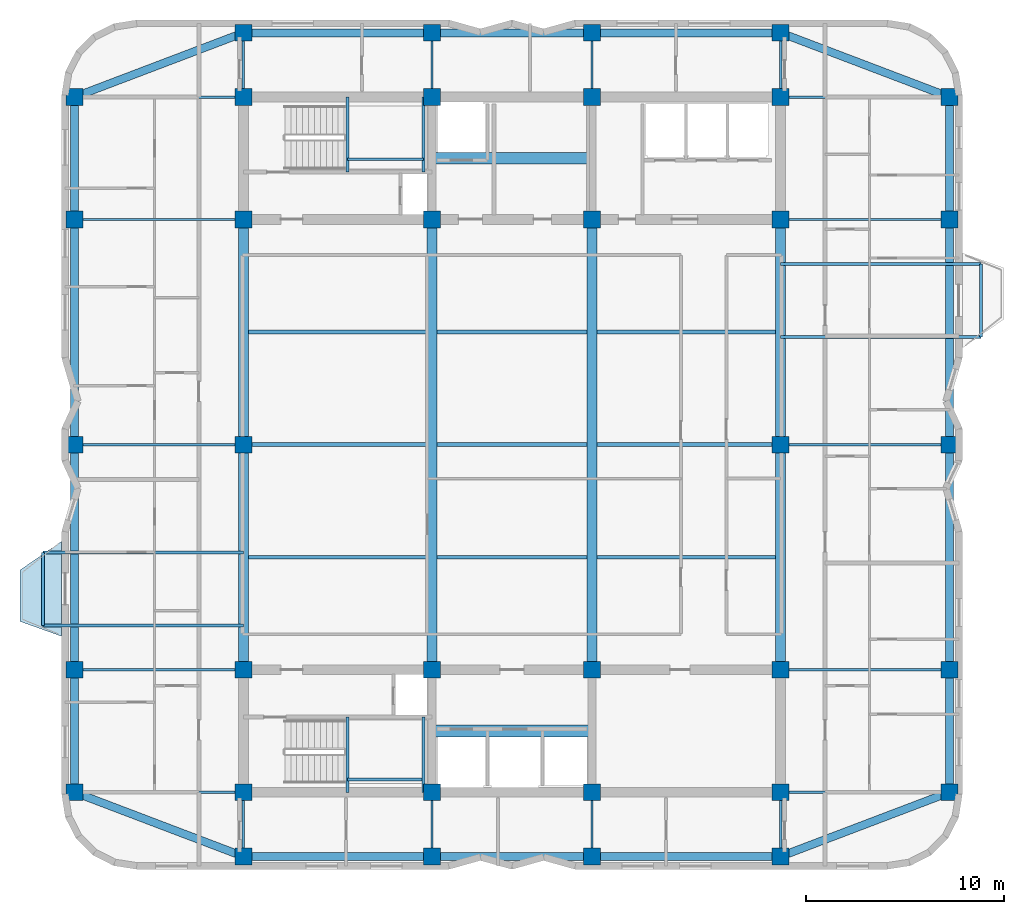
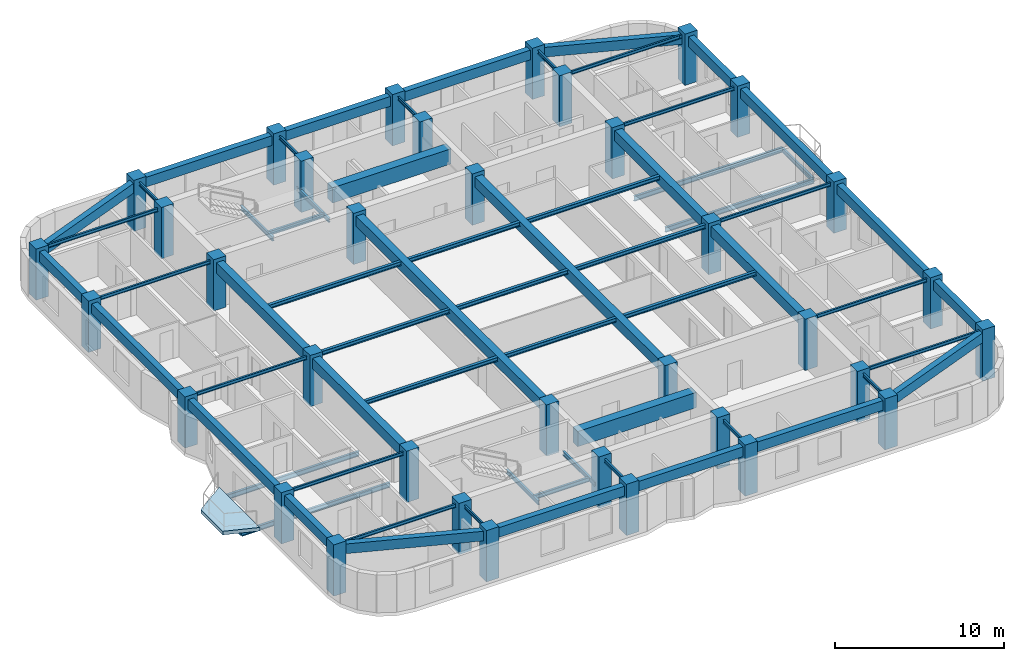
# One storey, part 1 of 9: 65 beams, 36 columns, 1 slab.
"""IFC4 building model written with IfcOpenShell, lengths in metres."""

from ifc_helpers import new_model, si_unit, direction, frame, origin, origin_2d, place, context, subcontext, project, spatial, polyline, rectangle, i_section, outline, extrude, material, layer, layer_set, material_profile, profile_set, type_object, element, save


model = new_model("IFC4")

# Units and contexts
model_context = context("Model", 3, precision=1e-05, world=origin(), true_north=direction((0.0, 1.0)))
body_context = subcontext(model_context, "Body", "Model", "MODEL_VIEW")
ifc_project = project(units=[si_unit("LENGTHUNIT", "METRE"), si_unit("AREAUNIT", "SQUARE_METRE"), si_unit("VOLUMEUNIT", "CUBIC_METRE"), si_unit("PLANEANGLEUNIT", "RADIAN"), si_unit("MASSUNIT", "GRAM", prefix="KILO")], contexts=[model_context])

# Site, building, storey
site_placement = place(None, origin())
site = spatial("IfcSite", under=ifc_project, at=site_placement, CompositionType="ELEMENT")
building_placement = place(site_placement, origin())
building = spatial("IfcBuilding", under=site, at=building_placement, Name="Svetorya Sky Lyceum", CompositionType="ELEMENT")
storey_placement = place(building_placement, frame((0.0, 0.0, 207.300048828125)))
storey = spatial("IfcBuildingStorey", under=building, at=storey_placement, Name="L51", CompositionType="ELEMENT", Elevation=207.300048828125)

# Columns
ifc_material_1 = material(Name="Concrete C50/60", Category="concrete")
ifc_material_profile_1 = material_profile(ifc_material_1, rectangle(XDim=0.85009765625, YDim=0.85009765625, at=origin_2d()), Name="RC COL 850x850")
ifc_profile_set_1 = profile_set([ifc_material_profile_1], Name="Concrete C50/60")
column_type = type_object("IfcColumnType", Name="COL-RC-850", PredefinedType="COLUMN", material=ifc_profile_set_1)
for number, where, z_axis, x_axis, name in (
    (1, (25.60009765625, 10.60009765625, 0.0), (0.0, 0.0, 1.0), (1.0, 0.0, 0.0), "L51 Core Column CS-11"),
    (2, (25.60009765625, 16.800048828125, 0.0), (0.0, 0.0, 1.0), (1.0, 0.0, 0.0), "L51 Core Column CS-12"),
    (3, (35.14990234375, 10.60009765625, 0.0), (0.0, 0.0, 1.0), (1.0, 0.0, 0.0), "L51 Core Column CS-21"),
    (4, (35.14990234375, 16.800048828125, 0.0), (0.0, 0.0, 1.0), (1.0, 0.0, 0.0), "L51 Core Column CS-22"),
    (5, (43.25, 10.60009765625, 0.0), (0.0, 0.0, 1.0), (1.0, 0.0, 0.0), "L51 Core Column CS-31"),
    (6, (43.25, 16.800048828125, 0.0), (0.0, 0.0, 1.0), (1.0, 0.0, 0.0), "L51 Core Column CS-32"),
    (7, (52.800048828125, 10.60009765625, 0.0), (0.0, 0.0, 1.0), (1.0, 0.0, 0.0), "L51 Core Column CS-41"),
    (8, (52.800048828125, 16.800048828125, 0.0), (0.0, 0.0, 1.0), (1.0, 0.0, 0.0), "L51 Core Column CS-42"),
    (9, (25.60009765625, 39.60009765625, 0.0), (0.0, 0.0, 1.0), (1.0, 0.0, 0.0), "L51 Core Column CN-11"),
    (10, (25.60009765625, 45.800048828125, 0.0), (0.0, 0.0, 1.0), (1.0, 0.0, 0.0), "L51 Core Column CN-12"),
    (11, (35.14990234375, 39.60009765625, 0.0), (0.0, 0.0, 1.0), (1.0, 0.0, 0.0), "L51 Core Column CN-21"),
    (12, (35.14990234375, 45.800048828125, 0.0), (0.0, 0.0, 1.0), (1.0, 0.0, 0.0), "L51 Core Column CN-22"),
    (13, (43.25, 39.60009765625, 0.0), (0.0, 0.0, 1.0), (1.0, 0.0, 0.0), "L51 Core Column CN-31"),
    (14, (43.25, 45.800048828125, 0.0), (0.0, 0.0, 1.0), (1.0, 0.0, 0.0), "L51 Core Column CN-32"),
    (15, (52.800048828125, 39.60009765625, 0.0), (0.0, 0.0, 1.0), (1.0, 0.0, 0.0), "L51 Core Column CN-41"),
    (16, (52.800048828125, 45.800048828125, 0.0), (0.0, 0.0, 1.0), (1.0, 0.0, 0.0), "L51 Core Column CN-42"),
    (17, (25.60009765625, 28.199951171875, 0.0), (0.0, 0.0, 1.0), (1.0, 0.0, 0.0), "L51 Core Column CM-W"),
    (18, (52.800048828125, 28.199951171875, 0.0), (0.0, 0.0, 1.0), (1.0, 0.0, 0.0), "L51 Core Column CM-E"),
    (19, (25.60009765625, 7.35009765625, 0.0), (0.0, 0.0, 1.0), (1.0, 0.0, 0.0), "L51 Perimeter Column S1"),
    (20, (25.60009765625, 49.050048828125, 0.0), (0.0, 0.0, 1.0), (1.0, 0.0, 0.0), "L51 Perimeter Column N1"),
    (21, (35.14990234375, 7.35009765625, 0.0), (0.0, 0.0, 1.0), (1.0, 0.0, 0.0), "L51 Perimeter Column S2"),
    (22, (35.14990234375, 49.050048828125, 0.0), (0.0, 0.0, 1.0), (1.0, 0.0, 0.0), "L51 Perimeter Column N2"),
    (23, (43.25, 7.35009765625, 0.0), (0.0, 0.0, 1.0), (1.0, 0.0, 0.0), "L51 Perimeter Column S3"),
    (24, (43.25, 49.050048828125, 0.0), (0.0, 0.0, 1.0), (1.0, 0.0, 0.0), "L51 Perimeter Column N3"),
    (25, (52.800048828125, 7.35009765625, 0.0), (0.0, 0.0, 1.0), (1.0, 0.0, 0.0), "L51 Perimeter Column S4"),
    (26, (52.800048828125, 49.050048828125, 0.0), (0.0, 0.0, 1.0), (1.0, 0.0, 0.0), "L51 Perimeter Column N4"),
    (27, (17.050048828125, 10.60009765625, 0.0), (0.0, 0.0, 1.0), (1.0, 0.0, 0.0), "L51 Perimeter Column W1"),
    (28, (61.35009765625, 10.60009765625, 0.0), (0.0, 0.0, 1.0), (1.0, 0.0, 0.0), "L51 Perimeter Column E1"),
    (29, (17.050048828125, 16.800048828125, 0.0), (0.0, 0.0, 1.0), (1.0, 0.0, 0.0), "L51 Perimeter Column W2"),
    (30, (61.35009765625, 16.800048828125, 0.0), (0.0, 0.0, 1.0), (1.0, 0.0, 0.0), "L51 Perimeter Column E2"),
    (31, (17.050048828125, 28.199951171875, 0.0), (0.0, 0.0, 1.0), (1.0, 0.0, 0.0), "L51 Perimeter Column W3"),
    (32, (61.35009765625, 28.199951171875, 0.0), (0.0, 0.0, 1.0), (1.0, 0.0, 0.0), "L51 Perimeter Column E3"),
    (33, (17.050048828125, 39.60009765625, 0.0), (0.0, 0.0, 1.0), (1.0, 0.0, 0.0), "L51 Perimeter Column W4"),
    (34, (61.35009765625, 39.60009765625, 0.0), (0.0, 0.0, 1.0), (1.0, 0.0, 0.0), "L51 Perimeter Column E4"),
    (35, (17.050048828125, 45.800048828125, 0.0), (0.0, 0.0, 1.0), (1.0, 0.0, 0.0), "L51 Perimeter Column W5"),
    (36, (61.35009765625, 45.800048828125, 0.0), (0.0, 0.0, 1.0), (1.0, 0.0, 0.0), "L51 Perimeter Column E5"),
):
    element("IfcColumn", number, at=place(storey_placement, frame(where, z_axis=z_axis, x_axis=x_axis)), inside=storey, type_object=column_type, Name=name, PredefinedType="COLUMN", context=body_context, shape_type="SweptSolid", body=[
        extrude(rectangle(XDim=0.85009765625, YDim=0.85009765625, at=origin_2d()), origin(), (0.0, 0.0, 1.0), 3.699951171875),
    ])

# Beams
ifc_material_2 = material(Name="Concrete C60/75", Category="concrete")
ifc_material_profile_2 = material_profile(ifc_material_2, rectangle(XDim=0.60009765625, YDim=1.10009765625, at=origin_2d()), Name="RC COUPLING 600x1100")
ifc_profile_set_2 = profile_set([ifc_material_profile_2], Name="Concrete C60/75")
beam_type_1 = type_object("IfcBeamType", Name="BM-CPL-1100", PredefinedType="LINTEL", material=ifc_profile_set_2)
for number, where, z_axis, x_axis, name in (
    (37, (35.14990234375, 13.699951171875, 2.889892578125), (1.0, 0.0, 0.0), (0.0, 1.0, 0.0), "L51 SC Core Coupling Beam"),
    (38, (35.14990234375, 42.699951171875, 2.889892578125), (1.0, 0.0, 0.0), (0.0, 1.0, 0.0), "L51 NC Core Coupling Beam"),
):
    element("IfcBeam", number, at=place(storey_placement, frame(where, z_axis=z_axis, x_axis=x_axis)), inside=storey, type_object=beam_type_1, Name=name, PredefinedType="LINTEL", context=body_context, shape_type="SweptSolid", body=[
        extrude(rectangle(XDim=0.60009765625, YDim=1.10009765625, at=origin_2d()), origin(), (0.0, 0.0, 1.0), 8.10009765625),
    ])
ifc_material_profile_3 = material_profile(ifc_material_1, rectangle(XDim=0.5, YDim=0.75, at=origin_2d()), Name="RC BEAM 500x750")
ifc_profile_set_3 = profile_set([ifc_material_profile_3], Name="Concrete C50/60")
beam_type_2 = type_object("IfcBeamType", Name="BM-RC-750", PredefinedType="BEAM", material=ifc_profile_set_3)
beam_1_placement = place(storey_placement, frame((25.60009765625, 16.800048828125, 3.06494140625), z_axis=(0.0, 1.0, 0.0), x_axis=(-1.0, 0.0, 0.0)))
element("IfcBeam", 39, at=beam_1_placement, inside=storey, type_object=beam_type_2, Name="L51 Central Bay Primary Girder CG-1A", PredefinedType="BEAM", context=body_context, shape_type="SweptSolid", body=[
    extrude(rectangle(XDim=0.5, YDim=0.75, at=origin_2d()), origin(), (0.0, 0.0, 1.0), 11.39990234375),
])
beam_2_placement = place(storey_placement, frame((25.60009765625, 28.199951171875, 3.06494140625), z_axis=(0.0, 1.0, 0.0), x_axis=(-1.0, 0.0, 0.0)))
element("IfcBeam", 40, at=beam_2_placement, inside=storey, type_object=beam_type_2, Name="L51 Central Bay Primary Girder CG-1B", PredefinedType="BEAM", context=body_context, shape_type="SweptSolid", body=[
    extrude(rectangle(XDim=0.5, YDim=0.75, at=origin_2d()), origin(), (0.0, 0.0, 1.0), 11.400146484375),
])
for number, where, z_axis, x_axis, name in (
    (41, (35.14990234375, 16.800048828125, 3.06494140625), (0.0, 1.0, 0.0), (-1.0, 0.0, 0.0), "L51 Central Bay Primary Girder CG-2"),
    (42, (43.25, 16.800048828125, 3.06494140625), (0.0, 1.0, 0.0), (-1.0, 0.0, 0.0), "L51 Central Bay Primary Girder CG-3"),
):
    element("IfcBeam", number, at=place(storey_placement, frame(where, z_axis=z_axis, x_axis=x_axis)), inside=storey, type_object=beam_type_2, Name=name, PredefinedType="BEAM", context=body_context, shape_type="SweptSolid", body=[
        extrude(rectangle(XDim=0.5, YDim=0.75, at=origin_2d()), origin(), (0.0, 0.0, 1.0), 22.800048828125),
    ])
beam_3_placement = place(storey_placement, frame((52.800048828125, 16.800048828125, 3.06494140625), z_axis=(0.0, 1.0, 0.0), x_axis=(-1.0, 0.0, 0.0)))
element("IfcBeam", 43, at=beam_3_placement, inside=storey, type_object=beam_type_2, Name="L51 Central Bay Primary Girder CG-4A", PredefinedType="BEAM", context=body_context, shape_type="SweptSolid", body=[
    extrude(rectangle(XDim=0.5, YDim=0.75, at=origin_2d()), origin(), (0.0, 0.0, 1.0), 11.39990234375),
])
beam_4_placement = place(storey_placement, frame((52.800048828125, 28.199951171875, 3.06494140625), z_axis=(0.0, 1.0, 0.0), x_axis=(-1.0, 0.0, 0.0)))
element("IfcBeam", 44, at=beam_4_placement, inside=storey, type_object=beam_type_2, Name="L51 Central Bay Primary Girder CG-4B", PredefinedType="BEAM", context=body_context, shape_type="SweptSolid", body=[
    extrude(rectangle(XDim=0.5, YDim=0.75, at=origin_2d()), origin(), (0.0, 0.0, 1.0), 11.400146484375),
])
ifc_material_profile_4 = material_profile(ifc_material_1, rectangle(XDim=0.39990234375, YDim=0.699951171875, at=origin_2d()), Name="RC SPANDREL 400x700")
ifc_profile_set_4 = profile_set([ifc_material_profile_4], Name="Concrete C50/60")
beam_type_3 = type_object("IfcBeamType", Name="BM-SPN-700", PredefinedType="SPANDREL", material=ifc_profile_set_4)
beam_5_placement = place(storey_placement, frame((25.60009765625, 7.35009765625, 3.08984375), z_axis=(1.0, 0.0, 0.0), x_axis=(0.0, 1.0, 0.0)))
element("IfcBeam", 45, at=beam_5_placement, inside=storey, type_object=beam_type_3, Name="L51 South Spandrel 1", PredefinedType="SPANDREL", context=body_context, shape_type="SweptSolid", body=[
    extrude(rectangle(XDim=0.39990234375, YDim=0.699951171875, at=origin_2d()), origin(), (0.0, 0.0, 1.0), 9.5498046875),
])
beam_6_placement = place(storey_placement, frame((35.14990234375, 7.35009765625, 3.08984375), z_axis=(1.0, 0.0, 0.0), x_axis=(0.0, 1.0, 0.0)))
element("IfcBeam", 46, at=beam_6_placement, inside=storey, type_object=beam_type_3, Name="L51 South Spandrel 2", PredefinedType="SPANDREL", context=body_context, shape_type="SweptSolid", body=[
    extrude(rectangle(XDim=0.39990234375, YDim=0.699951171875, at=origin_2d()), origin(), (0.0, 0.0, 1.0), 8.10009765625),
])
beam_7_placement = place(storey_placement, frame((43.25, 7.35009765625, 3.08984375), z_axis=(1.0, 0.0, 0.0), x_axis=(0.0, 1.0, 0.0)))
element("IfcBeam", 47, at=beam_7_placement, inside=storey, type_object=beam_type_3, Name="L51 South Spandrel 3", PredefinedType="SPANDREL", context=body_context, shape_type="SweptSolid", body=[
    extrude(rectangle(XDim=0.39990234375, YDim=0.699951171875, at=origin_2d()), origin(), (0.0, 0.0, 1.0), 9.550048828125),
])
beam_8_placement = place(storey_placement, frame((25.60009765625, 49.050048828125, 3.08984375), z_axis=(1.0, 0.0, 0.0), x_axis=(0.0, 1.0, 0.0)))
element("IfcBeam", 48, at=beam_8_placement, inside=storey, type_object=beam_type_3, Name="L51 North Spandrel 1", PredefinedType="SPANDREL", context=body_context, shape_type="SweptSolid", body=[
    extrude(rectangle(XDim=0.39990234375, YDim=0.699951171875, at=origin_2d()), origin(), (0.0, 0.0, 1.0), 9.5498046875),
])
beam_9_placement = place(storey_placement, frame((35.14990234375, 49.050048828125, 3.08984375), z_axis=(1.0, 0.0, 0.0), x_axis=(0.0, 1.0, 0.0)))
element("IfcBeam", 49, at=beam_9_placement, inside=storey, type_object=beam_type_3, Name="L51 North Spandrel 2", PredefinedType="SPANDREL", context=body_context, shape_type="SweptSolid", body=[
    extrude(rectangle(XDim=0.39990234375, YDim=0.699951171875, at=origin_2d()), origin(), (0.0, 0.0, 1.0), 8.10009765625),
])
beam_10_placement = place(storey_placement, frame((43.25, 49.050048828125, 3.08984375), z_axis=(1.0, 0.0, 0.0), x_axis=(0.0, 1.0, 0.0)))
element("IfcBeam", 50, at=beam_10_placement, inside=storey, type_object=beam_type_3, Name="L51 North Spandrel 3", PredefinedType="SPANDREL", context=body_context, shape_type="SweptSolid", body=[
    extrude(rectangle(XDim=0.39990234375, YDim=0.699951171875, at=origin_2d()), origin(), (0.0, 0.0, 1.0), 9.550048828125),
])
for number, where, z_axis, x_axis, name in (
    (51, (25.60009765625, 7.35009765625, 3.08984375), (-0.934747947367, 0.355311518099, 0.0), (-0.355311518099, -0.934747947367, 0.0), "L51 Corner Spandrel 1"),
    (52, (52.800048828125, 7.35009765625, 3.08984375), (0.934747947367, 0.355311518099, 0.0), (-0.355311518099, 0.934747947367, 0.0), "L51 Corner Spandrel 2"),
    (53, (61.35009765625, 45.800048828125, 3.08984375), (-0.934747947367, 0.355311518099, 0.0), (-0.355311518099, -0.934747947367, 0.0), "L51 Corner Spandrel 3"),
    (54, (17.050048828125, 45.800048828125, 3.08984375), (0.934747947367, 0.355311518099, 0.0), (-0.355311518099, 0.934747947367, 0.0), "L51 Corner Spandrel 4"),
):
    element("IfcBeam", number, at=place(storey_placement, frame(where, z_axis=z_axis, x_axis=x_axis)), inside=storey, type_object=beam_type_3, Name=name, PredefinedType="SPANDREL", context=body_context, shape_type="SweptSolid", body=[
        extrude(rectangle(XDim=0.39990234375, YDim=0.699951171875, at=origin_2d()), origin(), (0.0, 0.0, 1.0), 9.14697265625),
    ])
beam_11_placement = place(storey_placement, frame((17.050048828125, 10.60009765625, 3.08984375), z_axis=(0.0, 1.0, 0.0), x_axis=(-1.0, 0.0, 0.0)))
element("IfcBeam", 55, at=beam_11_placement, inside=storey, type_object=beam_type_3, Name="L51 West Spandrel 1", PredefinedType="SPANDREL", context=body_context, shape_type="SweptSolid", body=[
    extrude(rectangle(XDim=0.39990234375, YDim=0.699951171875, at=origin_2d()), origin(), (0.0, 0.0, 1.0), 6.199951171875),
])
beam_12_placement = place(storey_placement, frame((17.050048828125, 16.800048828125, 3.08984375), z_axis=(0.0, 1.0, 0.0), x_axis=(-1.0, 0.0, 0.0)))
element("IfcBeam", 56, at=beam_12_placement, inside=storey, type_object=beam_type_3, Name="L51 West Spandrel 2", PredefinedType="SPANDREL", context=body_context, shape_type="SweptSolid", body=[
    extrude(rectangle(XDim=0.39990234375, YDim=0.699951171875, at=origin_2d()), origin(), (0.0, 0.0, 1.0), 11.39990234375),
])
beam_13_placement = place(storey_placement, frame((17.050048828125, 28.199951171875, 3.08984375), z_axis=(0.0, 1.0, 0.0), x_axis=(-1.0, 0.0, 0.0)))
element("IfcBeam", 57, at=beam_13_placement, inside=storey, type_object=beam_type_3, Name="L51 West Spandrel 3", PredefinedType="SPANDREL", context=body_context, shape_type="SweptSolid", body=[
    extrude(rectangle(XDim=0.39990234375, YDim=0.699951171875, at=origin_2d()), origin(), (0.0, 0.0, 1.0), 11.400146484375),
])
for number, where, z_axis, x_axis, name in (
    (58, (17.050048828125, 39.60009765625, 3.08984375), (0.0, 1.0, 0.0), (-1.0, 0.0, 0.0), "L51 West Spandrel 4"),
    (59, (61.35009765625, 10.60009765625, 3.08984375), (0.0, 1.0, 0.0), (-1.0, 0.0, 0.0), "L51 East Spandrel 1"),
):
    element("IfcBeam", number, at=place(storey_placement, frame(where, z_axis=z_axis, x_axis=x_axis)), inside=storey, type_object=beam_type_3, Name=name, PredefinedType="SPANDREL", context=body_context, shape_type="SweptSolid", body=[
        extrude(rectangle(XDim=0.39990234375, YDim=0.699951171875, at=origin_2d()), origin(), (0.0, 0.0, 1.0), 6.199951171875),
    ])
beam_14_placement = place(storey_placement, frame((61.35009765625, 16.800048828125, 3.08984375), z_axis=(0.0, 1.0, 0.0), x_axis=(-1.0, 0.0, 0.0)))
element("IfcBeam", 60, at=beam_14_placement, inside=storey, type_object=beam_type_3, Name="L51 East Spandrel 2", PredefinedType="SPANDREL", context=body_context, shape_type="SweptSolid", body=[
    extrude(rectangle(XDim=0.39990234375, YDim=0.699951171875, at=origin_2d()), origin(), (0.0, 0.0, 1.0), 11.39990234375),
])
beam_15_placement = place(storey_placement, frame((61.35009765625, 28.199951171875, 3.08984375), z_axis=(0.0, 1.0, 0.0), x_axis=(-1.0, 0.0, 0.0)))
element("IfcBeam", 61, at=beam_15_placement, inside=storey, type_object=beam_type_3, Name="L51 East Spandrel 3", PredefinedType="SPANDREL", context=body_context, shape_type="SweptSolid", body=[
    extrude(rectangle(XDim=0.39990234375, YDim=0.699951171875, at=origin_2d()), origin(), (0.0, 0.0, 1.0), 11.400146484375),
])
beam_16_placement = place(storey_placement, frame((61.35009765625, 39.60009765625, 3.08984375), z_axis=(0.0, 1.0, 0.0), x_axis=(-1.0, 0.0, 0.0)))
element("IfcBeam", 62, at=beam_16_placement, inside=storey, type_object=beam_type_3, Name="L51 East Spandrel 4", PredefinedType="SPANDREL", context=body_context, shape_type="SweptSolid", body=[
    extrude(rectangle(XDim=0.39990234375, YDim=0.699951171875, at=origin_2d()), origin(), (0.0, 0.0, 1.0), 6.199951171875),
])
ifc_material_3 = material(Name="Steel S355", Category="steel")
ifc_material_profile_5 = material_profile(ifc_material_3, i_section(OverallWidth=0.1240234375, OverallDepth=0.248046875, WebThickness=0.006103515625, FlangeThickness=0.009521484375, at=origin_2d()), Name="GOST 25B2")
ifc_profile_set_5 = profile_set([ifc_material_profile_5], Name="Steel S355")
beam_type_4 = type_object("IfcBeamType", Name="BM-STL-25B2", PredefinedType="JOIST", material=ifc_profile_set_5)
for number, where, z_axis, x_axis, name in (
    (63, (17.050048828125, 10.60009765625, 3.31591796875), (1.0, 0.0, 0.0), (0.0, 1.0, 0.0), "L51 West Wing Floor Joist W1"),
    (64, (52.800048828125, 10.60009765625, 3.31591796875), (1.0, 0.0, 0.0), (0.0, 1.0, 0.0), "L51 East Wing Floor Joist E1"),
    (65, (17.050048828125, 16.800048828125, 3.31591796875), (1.0, 0.0, 0.0), (0.0, 1.0, 0.0), "L51 West Wing Floor Joist W2"),
    (66, (52.800048828125, 16.800048828125, 3.31591796875), (1.0, 0.0, 0.0), (0.0, 1.0, 0.0), "L51 East Wing Floor Joist E2"),
    (67, (17.050048828125, 28.199951171875, 3.31591796875), (1.0, 0.0, 0.0), (0.0, 1.0, 0.0), "L51 West Wing Floor Joist W3"),
    (68, (52.800048828125, 28.199951171875, 3.31591796875), (1.0, 0.0, 0.0), (0.0, 1.0, 0.0), "L51 East Wing Floor Joist E3"),
    (69, (17.050048828125, 39.60009765625, 3.31591796875), (1.0, 0.0, 0.0), (0.0, 1.0, 0.0), "L51 West Wing Floor Joist W4"),
    (70, (52.800048828125, 39.60009765625, 3.31591796875), (1.0, 0.0, 0.0), (0.0, 1.0, 0.0), "L51 East Wing Floor Joist E4"),
    (71, (17.050048828125, 45.800048828125, 3.31591796875), (1.0, 0.0, 0.0), (0.0, 1.0, 0.0), "L51 West Wing Floor Joist W5"),
    (72, (52.800048828125, 45.800048828125, 3.31591796875), (1.0, 0.0, 0.0), (0.0, 1.0, 0.0), "L51 East Wing Floor Joist E5"),
):
    element("IfcBeam", number, at=place(storey_placement, frame(where, z_axis=z_axis, x_axis=x_axis)), inside=storey, type_object=beam_type_4, Name=name, PredefinedType="JOIST", context=body_context, shape_type="SweptSolid", body=[
        extrude(i_section(OverallWidth=0.1240234375, OverallDepth=0.248046875, WebThickness=0.006103515625, FlangeThickness=0.009521484375, at=origin_2d()), origin(), (0.0, 0.0, 1.0), 8.550048828125),
    ])
for number, where, z_axis, x_axis, name in (
    (73, (25.60009765625, 7.35009765625, 3.31591796875), (0.0, 1.0, 0.0), (-1.0, 0.0, 0.0), "L51 South Bay Floor Girder S1"),
    (74, (25.60009765625, 45.800048828125, 3.31591796875), (0.0, 1.0, 0.0), (-1.0, 0.0, 0.0), "L51 North Bay Floor Girder N1"),
    (75, (35.14990234375, 7.35009765625, 3.31591796875), (0.0, 1.0, 0.0), (-1.0, 0.0, 0.0), "L51 South Bay Floor Girder S2"),
    (76, (35.14990234375, 45.800048828125, 3.31591796875), (0.0, 1.0, 0.0), (-1.0, 0.0, 0.0), "L51 North Bay Floor Girder N2"),
    (77, (43.25, 7.35009765625, 3.31591796875), (0.0, 1.0, 0.0), (-1.0, 0.0, 0.0), "L51 South Bay Floor Girder S3"),
    (78, (43.25, 45.800048828125, 3.31591796875), (0.0, 1.0, 0.0), (-1.0, 0.0, 0.0), "L51 North Bay Floor Girder N3"),
    (79, (52.800048828125, 7.35009765625, 3.31591796875), (0.0, 1.0, 0.0), (-1.0, 0.0, 0.0), "L51 South Bay Floor Girder S4"),
    (80, (52.800048828125, 45.800048828125, 3.31591796875), (0.0, 1.0, 0.0), (-1.0, 0.0, 0.0), "L51 North Bay Floor Girder N4"),
):
    element("IfcBeam", number, at=place(storey_placement, frame(where, z_axis=z_axis, x_axis=x_axis)), inside=storey, type_object=beam_type_4, Name=name, PredefinedType="JOIST", context=body_context, shape_type="SweptSolid", body=[
        extrude(i_section(OverallWidth=0.1240234375, OverallDepth=0.248046875, WebThickness=0.006103515625, FlangeThickness=0.009521484375, at=origin_2d()), origin(), (0.0, 0.0, 1.0), 3.25),
    ])
ifc_material_profile_6 = material_profile(ifc_material_3, i_section(OverallWidth=0.14990234375, OverallDepth=0.299072265625, WebThickness=0.006591796875, FlangeThickness=0.010498046875, at=origin_2d()), Name="GOST 30B2")
ifc_profile_set_6 = profile_set([ifc_material_profile_6], Name="Steel S355")
beam_type_5 = type_object("IfcBeamType", Name="BM-STL-30B2", PredefinedType="JOIST", material=ifc_profile_set_6)
beam_17_placement = place(storey_placement, frame((15.449951171875, 19.050048828125, -0.4345703125), z_axis=(0.0, 1.0, 0.0), x_axis=(-1.0, 0.0, 0.0)))
element("IfcBeam", 81, at=beam_17_placement, inside=storey, type_object=beam_type_5, Name="L51 Balcony Edge Tie BAL-W1", PredefinedType="JOIST", context=body_context, shape_type="SweptSolid", body=[
    extrude(i_section(OverallWidth=0.14990234375, OverallDepth=0.299072265625, WebThickness=0.006591796875, FlangeThickness=0.010498046875, at=origin_2d()), origin(), (0.0, 0.0, 1.0), 3.699951171875),
])
beam_18_placement = place(storey_placement, frame((62.949951171875, 33.64990234375, -0.4345703125), z_axis=(0.0, 1.0, 0.0), x_axis=(-1.0, 0.0, 0.0)))
element("IfcBeam", 82, at=beam_18_placement, inside=storey, type_object=beam_type_5, Name="L51 Balcony Edge Tie BAL-E1", PredefinedType="JOIST", context=body_context, shape_type="SweptSolid", body=[
    extrude(i_section(OverallWidth=0.14990234375, OverallDepth=0.299072265625, WebThickness=0.006591796875, FlangeThickness=0.010498046875, at=origin_2d()), origin(), (0.0, 0.0, 1.0), 3.7001953125),
])
for number, where, z_axis, x_axis, name in (
    (83, (30.8798828125, 10.60009765625, 1.50048828125), (0.0, 1.0, 0.0), (-1.0, 0.0, 0.0), "L51 Stair ST-S Half-Landing Support Beam 59.1"),
    (84, (34.719970703125, 10.60009765625, 1.50048828125), (0.0, 1.0, 0.0), (-1.0, 0.0, 0.0), "L51 Stair ST-S Half-Landing Support Beam 59.2"),
):
    element("IfcBeam", number, at=place(storey_placement, frame(where, z_axis=z_axis, x_axis=x_axis)), inside=storey, type_object=beam_type_5, Name=name, PredefinedType="JOIST", context=body_context, shape_type="SweptSolid", body=[
        extrude(i_section(OverallWidth=0.14990234375, OverallDepth=0.299072265625, WebThickness=0.006591796875, FlangeThickness=0.010498046875, at=origin_2d()), origin(), (0.0, 0.0, 1.0), 3.7998046875),
    ])
beam_19_placement = place(storey_placement, frame((30.8798828125, 11.25, 1.50048828125), z_axis=(1.0, 0.0, 0.0), x_axis=(0.0, 1.0, 0.0)))
element("IfcBeam", 85, at=beam_19_placement, inside=storey, type_object=beam_type_5, Name="L51 Stair ST-S Half-Landing Cross Tie 59", PredefinedType="JOIST", context=body_context, shape_type="SweptSolid", body=[
    extrude(i_section(OverallWidth=0.14990234375, OverallDepth=0.299072265625, WebThickness=0.006591796875, FlangeThickness=0.010498046875, at=origin_2d()), origin(), (0.0, 0.0, 1.0), 3.840087890625),
])
for number, where, z_axis, x_axis, name in (
    (86, (30.8798828125, 42.0, 1.50048828125), (0.0, 1.0, 0.0), (-1.0, 0.0, 0.0), "L51 Stair ST-N Half-Landing Support Beam 59.1"),
    (87, (34.719970703125, 42.0, 1.50048828125), (0.0, 1.0, 0.0), (-1.0, 0.0, 0.0), "L51 Stair ST-N Half-Landing Support Beam 59.2"),
):
    element("IfcBeam", number, at=place(storey_placement, frame(where, z_axis=z_axis, x_axis=x_axis)), inside=storey, type_object=beam_type_5, Name=name, PredefinedType="JOIST", context=body_context, shape_type="SweptSolid", body=[
        extrude(i_section(OverallWidth=0.14990234375, OverallDepth=0.299072265625, WebThickness=0.006591796875, FlangeThickness=0.010498046875, at=origin_2d()), origin(), (0.0, 0.0, 1.0), 3.800048828125),
    ])
beam_20_placement = place(storey_placement, frame((30.8798828125, 42.64990234375, 1.50048828125), z_axis=(1.0, 0.0, 0.0), x_axis=(0.0, 1.0, 0.0)))
element("IfcBeam", 88, at=beam_20_placement, inside=storey, type_object=beam_type_5, Name="L51 Stair ST-N Half-Landing Cross Tie 59", PredefinedType="JOIST", context=body_context, shape_type="SweptSolid", body=[
    extrude(i_section(OverallWidth=0.14990234375, OverallDepth=0.299072265625, WebThickness=0.006591796875, FlangeThickness=0.010498046875, at=origin_2d()), origin(), (0.0, 0.0, 1.0), 3.840087890625),
])
ifc_material_profile_7 = material_profile(ifc_material_3, i_section(OverallWidth=0.199951171875, OverallDepth=0.298095703125, WebThickness=0.008544921875, FlangeThickness=0.012939453125, at=origin_2d()), Name="GOST 30Sh2")
ifc_profile_set_7 = profile_set([ifc_material_profile_7], Name="Steel S355")
beam_type_6 = type_object("IfcBeamType", Name="BM-STL-30SH2", PredefinedType="BEAM", material=ifc_profile_set_7)
beam_21_placement = place(storey_placement, frame((25.85009765625, 22.5, 3.291015625), z_axis=(1.0, 0.0, 0.0), x_axis=(0.0, 1.0, 0.0)))
element("IfcBeam", 89, at=beam_21_placement, inside=storey, type_object=beam_type_6, Name="L51 Central Floor Joist CJ-1.1", PredefinedType="BEAM", context=body_context, shape_type="SweptSolid", body=[
    extrude(i_section(OverallWidth=0.199951171875, OverallDepth=0.298095703125, WebThickness=0.008544921875, FlangeThickness=0.012939453125, at=origin_2d()), origin(), (0.0, 0.0, 1.0), 9.0498046875),
])
beam_22_placement = place(storey_placement, frame((35.39990234375, 22.5, 3.291015625), z_axis=(1.0, 0.0, 0.0), x_axis=(0.0, 1.0, 0.0)))
element("IfcBeam", 90, at=beam_22_placement, inside=storey, type_object=beam_type_6, Name="L51 Central Floor Joist CJ-1.2", PredefinedType="BEAM", context=body_context, shape_type="SweptSolid", body=[
    extrude(i_section(OverallWidth=0.199951171875, OverallDepth=0.298095703125, WebThickness=0.008544921875, FlangeThickness=0.012939453125, at=origin_2d()), origin(), (0.0, 0.0, 1.0), 7.60009765625),
])
beam_23_placement = place(storey_placement, frame((43.5, 22.5, 3.291015625), z_axis=(1.0, 0.0, 0.0), x_axis=(0.0, 1.0, 0.0)))
element("IfcBeam", 91, at=beam_23_placement, inside=storey, type_object=beam_type_6, Name="L51 Central Floor Joist CJ-1.3", PredefinedType="BEAM", context=body_context, shape_type="SweptSolid", body=[
    extrude(i_section(OverallWidth=0.199951171875, OverallDepth=0.298095703125, WebThickness=0.008544921875, FlangeThickness=0.012939453125, at=origin_2d()), origin(), (0.0, 0.0, 1.0), 9.050048828125),
])
beam_24_placement = place(storey_placement, frame((25.85009765625, 28.199951171875, 3.291015625), z_axis=(1.0, 0.0, 0.0), x_axis=(0.0, 1.0, 0.0)))
element("IfcBeam", 92, at=beam_24_placement, inside=storey, type_object=beam_type_6, Name="L51 Central Floor Joist CJ-2.1", PredefinedType="BEAM", context=body_context, shape_type="SweptSolid", body=[
    extrude(i_section(OverallWidth=0.199951171875, OverallDepth=0.298095703125, WebThickness=0.008544921875, FlangeThickness=0.012939453125, at=origin_2d()), origin(), (0.0, 0.0, 1.0), 9.0498046875),
])
beam_25_placement = place(storey_placement, frame((35.39990234375, 28.199951171875, 3.291015625), z_axis=(1.0, 0.0, 0.0), x_axis=(0.0, 1.0, 0.0)))
element("IfcBeam", 93, at=beam_25_placement, inside=storey, type_object=beam_type_6, Name="L51 Central Floor Joist CJ-2.2", PredefinedType="BEAM", context=body_context, shape_type="SweptSolid", body=[
    extrude(i_section(OverallWidth=0.199951171875, OverallDepth=0.298095703125, WebThickness=0.008544921875, FlangeThickness=0.012939453125, at=origin_2d()), origin(), (0.0, 0.0, 1.0), 7.60009765625),
])
beam_26_placement = place(storey_placement, frame((43.5, 28.199951171875, 3.291015625), z_axis=(1.0, 0.0, 0.0), x_axis=(0.0, 1.0, 0.0)))
element("IfcBeam", 94, at=beam_26_placement, inside=storey, type_object=beam_type_6, Name="L51 Central Floor Joist CJ-2.3", PredefinedType="BEAM", context=body_context, shape_type="SweptSolid", body=[
    extrude(i_section(OverallWidth=0.199951171875, OverallDepth=0.298095703125, WebThickness=0.008544921875, FlangeThickness=0.012939453125, at=origin_2d()), origin(), (0.0, 0.0, 1.0), 9.050048828125),
])
beam_27_placement = place(storey_placement, frame((25.85009765625, 33.89990234375, 3.291015625), z_axis=(1.0, 0.0, 0.0), x_axis=(0.0, 1.0, 0.0)))
element("IfcBeam", 95, at=beam_27_placement, inside=storey, type_object=beam_type_6, Name="L51 Central Floor Joist CJ-3.1", PredefinedType="BEAM", context=body_context, shape_type="SweptSolid", body=[
    extrude(i_section(OverallWidth=0.199951171875, OverallDepth=0.298095703125, WebThickness=0.008544921875, FlangeThickness=0.012939453125, at=origin_2d()), origin(), (0.0, 0.0, 1.0), 9.0498046875),
])
beam_28_placement = place(storey_placement, frame((35.39990234375, 33.89990234375, 3.291015625), z_axis=(1.0, 0.0, 0.0), x_axis=(0.0, 1.0, 0.0)))
element("IfcBeam", 96, at=beam_28_placement, inside=storey, type_object=beam_type_6, Name="L51 Central Floor Joist CJ-3.2", PredefinedType="BEAM", context=body_context, shape_type="SweptSolid", body=[
    extrude(i_section(OverallWidth=0.199951171875, OverallDepth=0.298095703125, WebThickness=0.008544921875, FlangeThickness=0.012939453125, at=origin_2d()), origin(), (0.0, 0.0, 1.0), 7.60009765625),
])
beam_29_placement = place(storey_placement, frame((43.5, 33.89990234375, 3.291015625), z_axis=(1.0, 0.0, 0.0), x_axis=(0.0, 1.0, 0.0)))
element("IfcBeam", 97, at=beam_29_placement, inside=storey, type_object=beam_type_6, Name="L51 Central Floor Joist CJ-3.3", PredefinedType="BEAM", context=body_context, shape_type="SweptSolid", body=[
    extrude(i_section(OverallWidth=0.199951171875, OverallDepth=0.298095703125, WebThickness=0.008544921875, FlangeThickness=0.012939453125, at=origin_2d()), origin(), (0.0, 0.0, 1.0), 9.050048828125),
])
ifc_material_profile_8 = material_profile(ifc_material_3, i_section(OverallWidth=0.155029296875, OverallDepth=0.34912109375, WebThickness=0.007080078125, FlangeThickness=0.011474609375, at=origin_2d()), Name="GOST 35B2")
ifc_profile_set_8 = profile_set([ifc_material_profile_8], Name="Steel S355")
beam_type_7 = type_object("IfcBeamType", Name="BM-STL-35B2", PredefinedType="JOIST", material=ifc_profile_set_8)
for number, where, z_axis, x_axis, name in (
    (98, (25.60009765625, 19.050048828125, -0.4345703125), (-1.0, 0.0, 0.0), (0.0, -1.0, 0.0), "L51 Balcony Cantilever Beam BAL-W1-1"),
    (99, (25.60009765625, 22.75, -0.4345703125), (-1.0, 0.0, 0.0), (0.0, -1.0, 0.0), "L51 Balcony Cantilever Beam BAL-W1-2"),
):
    element("IfcBeam", number, at=place(storey_placement, frame(where, z_axis=z_axis, x_axis=x_axis)), inside=storey, type_object=beam_type_7, Name=name, PredefinedType="JOIST", context=body_context, shape_type="SweptSolid", body=[
        extrude(i_section(OverallWidth=0.155029296875, OverallDepth=0.34912109375, WebThickness=0.007080078125, FlangeThickness=0.011474609375, at=origin_2d()), origin(), (0.0, 0.0, 1.0), 10.150146484375),
    ])
for number, where, z_axis, x_axis, name in (
    (100, (52.800048828125, 33.64990234375, -0.4345703125), (1.0, 0.0, 0.0), (0.0, 1.0, 0.0), "L51 Balcony Cantilever Beam BAL-E1-1"),
    (101, (52.800048828125, 37.35009765625, -0.4345703125), (1.0, 0.0, 0.0), (0.0, 1.0, 0.0), "L51 Balcony Cantilever Beam BAL-E1-2"),
):
    element("IfcBeam", number, at=place(storey_placement, frame(where, z_axis=z_axis, x_axis=x_axis)), inside=storey, type_object=beam_type_7, Name=name, PredefinedType="JOIST", context=body_context, shape_type="SweptSolid", body=[
        extrude(i_section(OverallWidth=0.155029296875, OverallDepth=0.34912109375, WebThickness=0.007080078125, FlangeThickness=0.011474609375, at=origin_2d()), origin(), (0.0, 0.0, 1.0), 10.14990234375),
    ])

# Slab
ifc_material_4 = material(Name="Concrete C40/50", Category="concrete")
ifc_layer = layer(ifc_material_4, 0.260009765625)
ifc_layer_set = layer_set([ifc_layer], Name="Concrete C40/50")
slab_type = type_object("IfcSlabType", Name="SL-BAL-260", PredefinedType="FLOOR", material=ifc_layer_set)
slab_placement = place(storey_placement, frame((0.0, 0.0, -0.260009765625)))
element("IfcSlab", 102, at=slab_placement, inside=storey, type_object=slab_type, Name="L51 Chamfered Loggia Balcony BAL-W1", PredefinedType="FLOOR", context=body_context, shape_type="SweptSolid", body=[
    extrude(outline(polyline([(16.389892578125, 18.5), (16.389892578125, 23.300048828125), (14.2900390625, 21.85009765625), (14.2900390625, 19.25), (16.389892578125, 18.5)])), origin(), (0.0, 0.0, 1.0), 0.260009765625),
])

save(model, "model.ifc")
